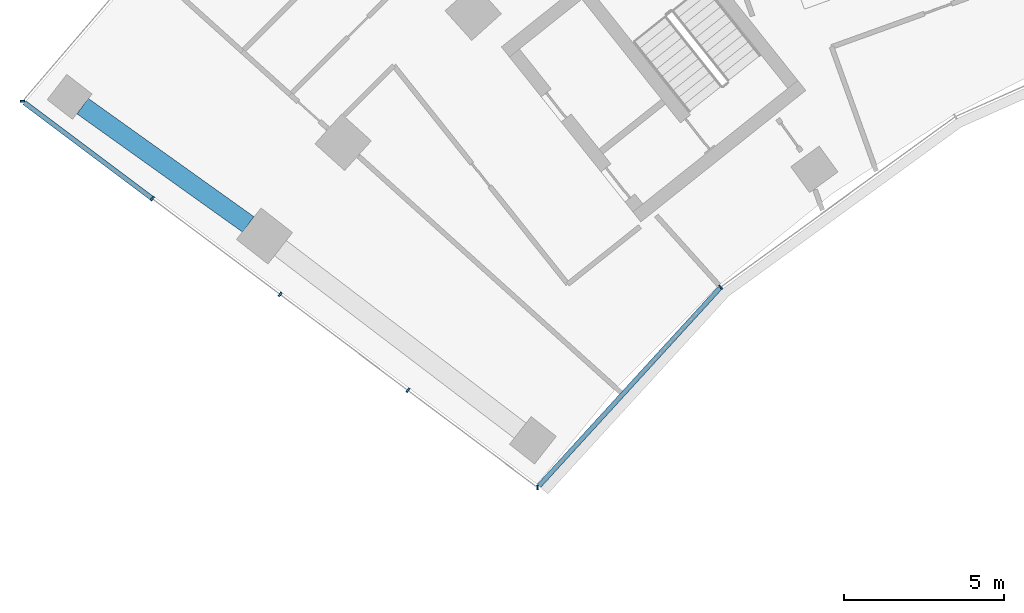
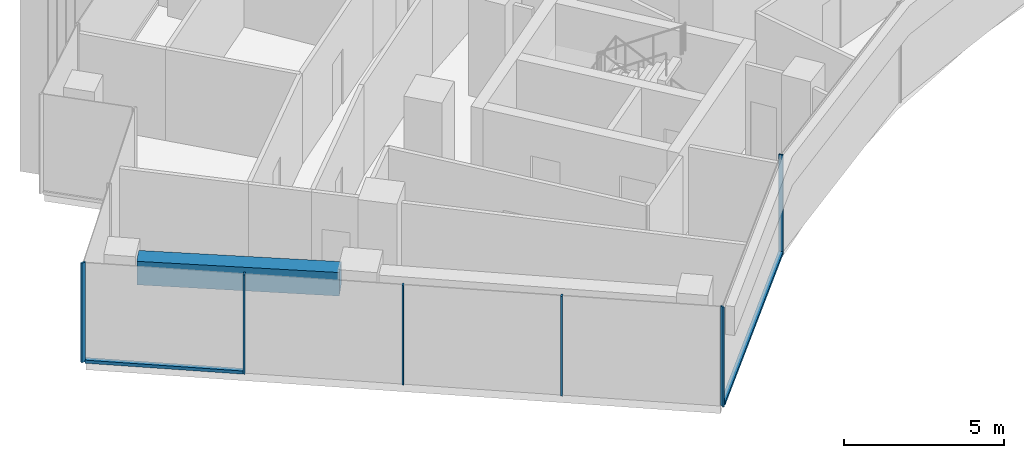
# One storey, part 2 of 23: 8 members, 1 beam, 2 elements without a shape of their own.
"""IFC4 building model written with IfcOpenShell, lengths in metres."""

from ifc_helpers import new_model, si_unit, direction, frame, origin, origin_2d, place, context, subcontext, project, spatial, rectangle, extrude, material, layer, layer_set, material_profile, profile_set, type_object, element, aggregate, save


model = new_model("IFC4")

# Units and contexts
model_context = context("Model", 3, precision=1e-05, world=origin(), true_north=direction((0.0, 1.0)))
body_context = subcontext(model_context, "Body", "Model", "MODEL_VIEW")
ifc_project = project(units=[si_unit("LENGTHUNIT", "METRE"), si_unit("AREAUNIT", "SQUARE_METRE"), si_unit("VOLUMEUNIT", "CUBIC_METRE"), si_unit("PLANEANGLEUNIT", "RADIAN"), si_unit("MASSUNIT", "GRAM", prefix="KILO")], contexts=[model_context])

# Site, building, storey
site_placement = place(None, origin())
site = spatial("IfcSite", under=ifc_project, at=site_placement, CompositionType="ELEMENT")
building_placement = place(site_placement, origin())
building = spatial("IfcBuilding", under=site, at=building_placement, Name="Stone Belt Terrace Tower", CompositionType="ELEMENT")
storey_placement = place(building_placement, frame((0.0, 0.0, 144.0)))
storey = spatial("IfcBuildingStorey", under=building, at=storey_placement, Name="L34", CompositionType="ELEMENT", Elevation=144.0)

# Curtain wall, members
ifc_material_1 = material(Name="Aluminium 6063-T6 anodised frame", Category="aluminium")
ifc_layer_1 = layer(ifc_material_1, 0.14990234375)
ifc_layer_set_1 = layer_set([ifc_layer_1], Name="CW-B unitised concave-face curtain wall")
curtain_wall_type_1 = type_object("IfcCurtainWallType", Name="CW-B unitised concave-face curtain wall", PredefinedType="NOTDEFINED", material=ifc_layer_set_1)
curtain_wall_1_placement = place(storey_placement, origin())
curtain_wall_1 = element("IfcCurtainWall", 1, at=curtain_wall_1_placement, inside=storey, type_object=curtain_wall_type_1, Name="CW-B concave face L34", PredefinedType="NOTDEFINED")
ifc_material_profile_1 = material_profile(ifc_material_1, rectangle(XDim=0.14990234375, YDim=0.050048828125, at=origin_2d()), Name="Aluminium 6063-T6 50x150")
ifc_profile_set_1 = profile_set([ifc_material_profile_1], Name="Aluminium 6063-T6 anodised frame")
member_type_1 = type_object("IfcMemberType", Name="CW-B mullion 50 x 150", PredefinedType="MULLION", material=ifc_profile_set_1)
member_1_placement = place(storey_placement, frame((-34.7900390625, 26.0, 0.0), z_axis=(0.0, 0.0, 1.0), x_axis=(-0.093180581986, 0.995649224949, 0.0)))
member_1 = element("IfcMember", 2, at=member_1_placement, type_object=member_type_1, Name="CW-B mullion 1", PredefinedType="MULLION", context=body_context, shape_type="SweptSolid", body=[
    extrude(rectangle(XDim=0.14990234375, YDim=0.050048828125, at=origin_2d()), origin(), (0.0, 0.0, 1.0), 3.800048828125),
])
member_2_placement = place(storey_placement, frame((-29.056884765625, 32.2705078125, 0.0), z_axis=(0.0, 0.0, 1.0), x_axis=(-0.666300886777, 0.745682994496, 0.0)))
member_2 = element("IfcMember", 3, at=member_2_placement, type_object=member_type_1, Name="CW-B mullion 2", PredefinedType="MULLION", context=body_context, shape_type="SweptSolid", body=[
    extrude(rectangle(XDim=0.14990234375, YDim=0.050048828125, at=origin_2d()), origin(), (0.0, 0.0, 1.0), 3.800048828125),
])
ifc_material_profile_2 = material_profile(ifc_material_1, rectangle(XDim=0.14990234375, YDim=0.1201171875, at=origin_2d()), Name="Aluminium 6063-T6 150x120")
ifc_profile_set_2 = profile_set([ifc_material_profile_2], Name="Aluminium 6063-T6 anodised frame")
member_type_2 = type_object("IfcMemberType", Name="CW-B transom 120 x 150", PredefinedType="USERDEFINED", material=ifc_profile_set_2)
member_3_placement = place(storey_placement, frame((-34.743408203125, 26.05078125, 0.06005859375), z_axis=(0.674757432231, 0.738039570517, 0.0), x_axis=(-0.738039570517, 0.674757432231, 0.0)))
member_3 = element("IfcMember", 4, at=member_3_placement, type_object=member_type_2, Name="CW-B transom 1.1", ObjectType="TRANSOM", PredefinedType="USERDEFINED", context=body_context, shape_type="SweptSolid", body=[
    extrude(rectangle(XDim=0.14990234375, YDim=0.1201171875, at=origin_2d()), origin(), (0.0, 0.0, 1.0), 8.39501953125),
])
aggregate(curtain_wall_1, [member_1, member_2, member_3])

ifc_layer_2 = layer(ifc_material_1, 0.14990234375)
ifc_layer_set_2 = layer_set([ifc_layer_2], Name="CW-C stick curtain wall, horn ends and notches")
curtain_wall_type_2 = type_object("IfcCurtainWallType", Name="CW-C stick curtain wall, horn ends and notches", PredefinedType="NOTDEFINED", material=ifc_layer_set_2)
curtain_wall_2_placement = place(storey_placement, origin())
curtain_wall_2 = element("IfcCurtainWall", 5, at=curtain_wall_2_placement, inside=storey, type_object=curtain_wall_type_2, Name="CW-C end face L34", PredefinedType="NOTDEFINED")
ifc_material_profile_3 = material_profile(ifc_material_1, rectangle(XDim=0.14990234375, YDim=0.06005859375, at=origin_2d()), Name="Aluminium 6063-T6 60x150")
ifc_profile_set_3 = profile_set([ifc_material_profile_3], Name="Aluminium 6063-T6 anodised frame")
member_type_3 = type_object("IfcMemberType", Name="CW-C mullion 60 x 150", PredefinedType="MULLION", material=ifc_profile_set_3)
member_4_placement = place(storey_placement, frame((-50.908447265625, 38.08935546875, 0.0), z_axis=(0.0, 0.0, 1.0), x_axis=(0.994169356535, 0.107829914807, 0.0)))
member_4 = element("IfcMember", 6, at=member_4_placement, type_object=member_type_3, Name="CW-C mullion 1", PredefinedType="MULLION", context=body_context, shape_type="SweptSolid", body=[
    extrude(rectangle(XDim=0.14990234375, YDim=0.06005859375, at=origin_2d()), origin(), (0.0, 0.0, 1.0), 3.800048828125),
])
member_5_placement = place(storey_placement, frame((-46.84423828125, 35.041015625, 0.0), z_axis=(0.0, 0.0, 1.0), x_axis=(0.600017992436, 0.799986505357, 0.0)))
member_5 = element("IfcMember", 7, at=member_5_placement, type_object=member_type_3, Name="CW-C mullion 2", PredefinedType="MULLION", context=body_context, shape_type="SweptSolid", body=[
    extrude(rectangle(XDim=0.14990234375, YDim=0.06005859375, at=origin_2d()), origin(), (0.0, 0.0, 1.0), 3.800048828125),
])
member_6_placement = place(storey_placement, frame((-42.84423828125, 32.041015625, 0.0), z_axis=(0.0, 0.0, 1.0), x_axis=(0.600017992436, 0.799986505357, 0.0)))
member_6 = element("IfcMember", 8, at=member_6_placement, type_object=member_type_3, Name="CW-C mullion 3", PredefinedType="MULLION", context=body_context, shape_type="SweptSolid", body=[
    extrude(rectangle(XDim=0.14990234375, YDim=0.06005859375, at=origin_2d()), origin(), (0.0, 0.0, 1.0), 3.800048828125),
])
member_7_placement = place(storey_placement, frame((-38.84423828125, 29.040771484375, 0.0), z_axis=(0.0, 0.0, 1.0), x_axis=(0.600017992436, 0.799986505357, 0.0)))
member_7 = element("IfcMember", 9, at=member_7_placement, type_object=member_type_3, Name="CW-C mullion 4", PredefinedType="MULLION", context=body_context, shape_type="SweptSolid", body=[
    extrude(rectangle(XDim=0.14990234375, YDim=0.06005859375, at=origin_2d()), origin(), (0.0, 0.0, 1.0), 3.800048828125),
])
ifc_material_profile_4 = material_profile(ifc_material_1, rectangle(XDim=0.14990234375, YDim=0.1201171875, at=origin_2d()), Name="Aluminium 6063-T6 150x120")
ifc_profile_set_4 = profile_set([ifc_material_profile_4], Name="Aluminium 6063-T6 anodised frame")
member_type_4 = type_object("IfcMemberType", Name="CW-C transom 120 x 150", PredefinedType="USERDEFINED", material=ifc_profile_set_4)
member_8_placement = place(storey_placement, frame((-50.84814453125, 38.044189453125, 0.06005859375), z_axis=(0.799988222323, -0.600015703248, 0.0), x_axis=(0.600015703248, 0.799988222323, 0.0)))
member_8 = element("IfcMember", 10, at=member_8_placement, type_object=member_type_4, Name="CW-C transom 1.1", ObjectType="TRANSOM", PredefinedType="USERDEFINED", context=body_context, shape_type="SweptSolid", body=[
    extrude(rectangle(XDim=0.14990234375, YDim=0.1201171875, at=origin_2d()), origin(), (0.0, 0.0, 1.0), 4.97509765625),
])
aggregate(curtain_wall_2, [member_4, member_5, member_6, member_7, member_8])

# Beam
ifc_material_2 = material(Name="Concrete B60", Category="concrete")
ifc_material_profile_5 = material_profile(ifc_material_2, rectangle(XDim=0.60009765625, YDim=0.89990234375, at=origin_2d()), Name="RC 600x900")
ifc_profile_set_5 = profile_set([ifc_material_profile_5], Name="Concrete B60")
beam_type = type_object("IfcBeamType", Name="Edge beam RC 600x900 B60", PredefinedType="SPANDREL", material=ifc_profile_set_5)
beam_placement = place(storey_placement, frame((-43.842529296875, 34.23388671875, 3.030029296875), z_axis=(-0.813774908454, 0.581180177201, 0.0), x_axis=(-0.581180177201, -0.813774908454, 0.0)))
element("IfcBeam", 11, at=beam_placement, inside=storey, type_object=beam_type, Name="Edge beam L34 A Q to R", PredefinedType="SPANDREL", context=body_context, shape_type="SweptSolid", body=[
    extrude(rectangle(XDim=0.60009765625, YDim=0.89990234375, at=origin_2d()), origin(), (0.0, 0.0, 1.0), 6.369140625),
])

save(model, "model.ifc")
